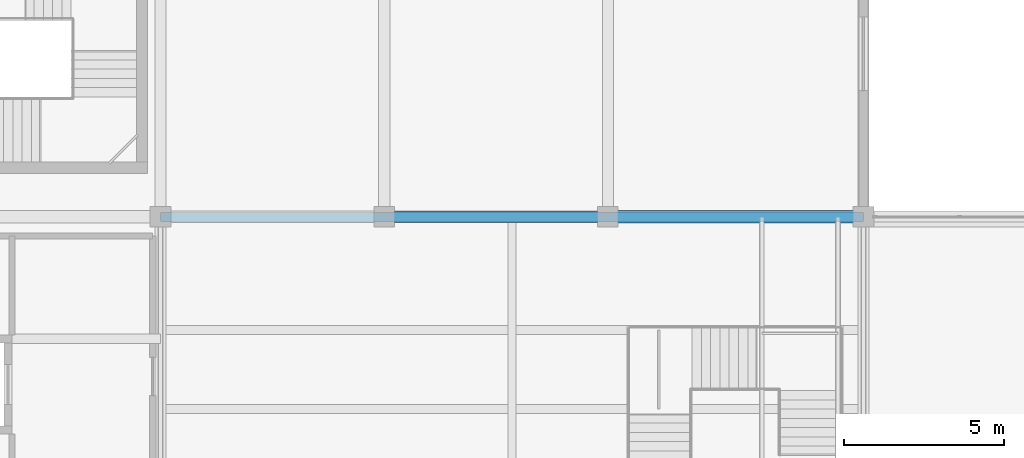
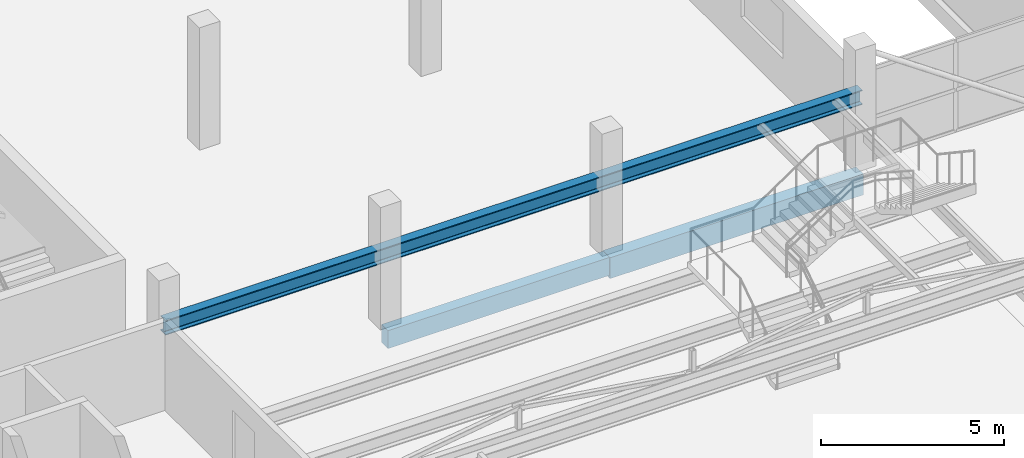
# One storey, part 34 of 70: 3 beams.
"""IFC4 building model written with IfcOpenShell, lengths in metres."""

from ifc_helpers import new_model, si_unit, direction, frame, origin, origin_2d, place, context, subcontext, project, spatial, rectangle, i_section, extrude, material, material_profile, profile_set, type_object, element, save


model = new_model("IFC4")

# Units and contexts
model_context = context("Model", 3, precision=1e-05, world=origin(), true_north=direction((0.0, 1.0)))
body_context = subcontext(model_context, "Body", "Model", "MODEL_VIEW")
ifc_project = project(units=[si_unit("LENGTHUNIT", "METRE"), si_unit("AREAUNIT", "SQUARE_METRE"), si_unit("VOLUMEUNIT", "CUBIC_METRE"), si_unit("PLANEANGLEUNIT", "RADIAN"), si_unit("MASSUNIT", "GRAM", prefix="KILO")], contexts=[model_context])

# Site, building, storey
site_placement = place(None, origin())
site = spatial("IfcSite", under=ifc_project, at=site_placement, CompositionType="ELEMENT")
building_placement = place(site_placement, origin())
building = spatial("IfcBuilding", under=site, at=building_placement, Name="Sillaruma Civic Art Gallery", CompositionType="ELEMENT")
storey_placement = place(building_placement, frame((0.0, 0.0, 66.300048828125)))
storey = spatial("IfcBuildingStorey", under=building, at=storey_placement, Name="L13", CompositionType="ELEMENT", Elevation=66.300048828125)

# Beams
ifc_material_1 = material(Name="Concrete H35 (35 MPa)", Category="concrete")
ifc_material_profile_1 = material_profile(ifc_material_1, rectangle(XDim=0.35009765625, YDim=0.60009765625, at=origin_2d()), Name="RCB350x600")
ifc_profile_set_1 = profile_set([ifc_material_profile_1], Name="Concrete H35 (35 MPa)")
beam_type_1 = type_object("IfcBeamType", Name="BM-BEAM-RCB350x600", PredefinedType="BEAM", material=ifc_profile_set_1)
beam_1_placement = place(storey_placement, frame((77.0, 79.199951171875, -0.530029296875), z_axis=(1.0, 0.0, 0.0), x_axis=(0.0, 1.0, 0.0)))
element("IfcBeam", 1, at=beam_1_placement, inside=storey, type_object=beam_type_1, Name="Beam BM-06 (L12:9:H-J)", PredefinedType="BEAM", context=body_context, shape_type="SweptSolid", body=[
    extrude(rectangle(XDim=0.35009765625, YDim=0.60009765625, at=origin_2d()), origin(), (0.0, 0.0, 1.0), 7.0),
])
ifc_material_profile_2 = material_profile(ifc_material_1, rectangle(XDim=0.39990234375, YDim=0.699951171875, at=origin_2d()), Name="RCB400x700")
ifc_profile_set_2 = profile_set([ifc_material_profile_2], Name="Concrete H35 (35 MPa)")
beam_type_2 = type_object("IfcBeamType", Name="BM-BEAM-RCB400x700", PredefinedType="BEAM", material=ifc_profile_set_2)
beam_2_placement = place(storey_placement, frame((84.0, 79.199951171875, -0.580078125), z_axis=(1.0, 0.0, 0.0), x_axis=(0.0, 1.0, 0.0)))
element("IfcBeam", 2, at=beam_2_placement, inside=storey, type_object=beam_type_2, Name="Beam BM-04 (L12:9:J-K)", PredefinedType="BEAM", context=body_context, shape_type="SweptSolid", body=[
    extrude(rectangle(XDim=0.39990234375, YDim=0.699951171875, at=origin_2d()), origin(), (0.0, 0.0, 1.0), 8.0),
])
ifc_material_2 = material(Name="Structural Steel ASTM A992 Gr.50", Category="steel")
ifc_material_profile_3 = material_profile(ifc_material_2, i_section(OverallWidth=0.282958984375, OverallDepth=0.489013671875, WebThickness=0.01708984375, FlangeThickness=0.030517578125, FilletRadius=0.014892578125, at=origin_2d()), Name="W460x193")
ifc_profile_set_3 = profile_set([ifc_material_profile_3], Name="Structural Steel ASTM A992 Gr.50")
beam_type_3 = type_object("IfcBeamType", Name="BM-LND-W460", PredefinedType="BEAM", material=ifc_profile_set_3)
beam_3_placement = place(storey_placement, frame((70.0, 79.199951171875, 2.29052734375), z_axis=(1.0, 0.0, 0.0), x_axis=(0.0, 1.0, 0.0)))
element("IfcBeam", 3, at=beam_3_placement, inside=storey, type_object=beam_type_3, Name="Feature Stair L2 Rail (ST-G08-N)", PredefinedType="BEAM", context=body_context, shape_type="SweptSolid", body=[
    extrude(i_section(OverallWidth=0.282958984375, OverallDepth=0.489013671875, WebThickness=0.01708984375, FlangeThickness=0.030517578125, FilletRadius=0.014892578125, at=origin_2d()), origin(), (0.0, 0.0, 1.0), 22.0),
])

save(model, "model.ifc")
